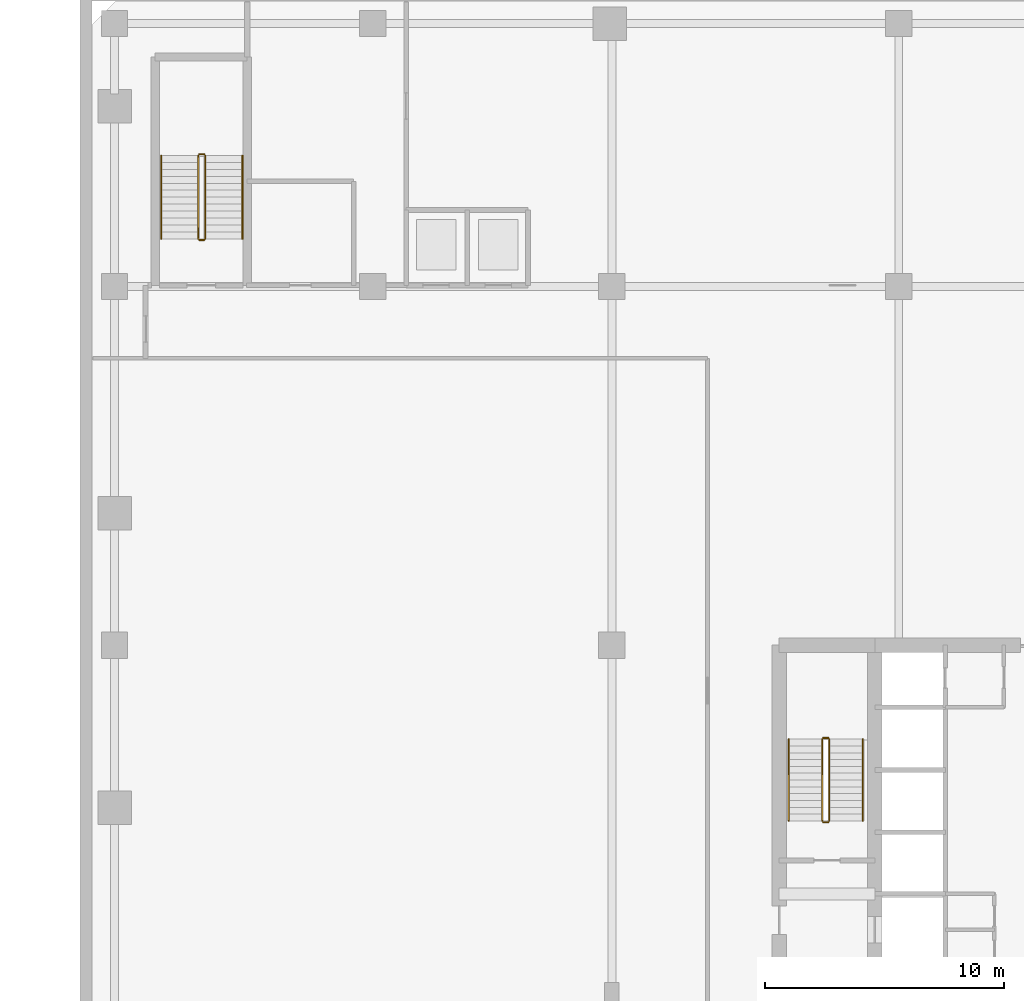
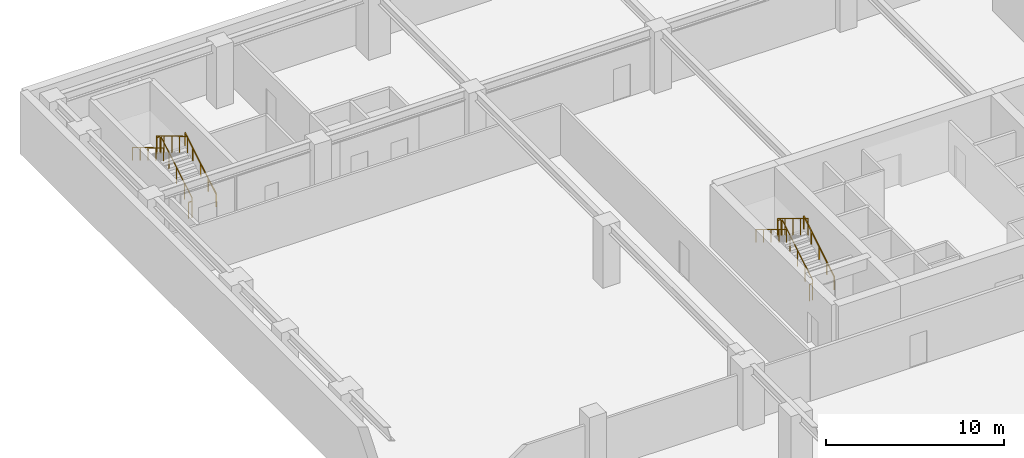
# One storey, part 8 of 11: 12 railings.
"""IFC4 building model written with IfcOpenShell, lengths in metres."""

from ifc_helpers import new_model, si_unit, direction, frame, origin, origin_2d, place, context, subcontext, project, spatial, rectangle, extrude, material, type_object, element, save


model = new_model("IFC4")

# Units and contexts
model_context = context("Model", 3, precision=1e-05, world=origin(), true_north=direction((0.0, 1.0)))
body_context = subcontext(model_context, "Body", "Model", "MODEL_VIEW")
ifc_project = project(units=[si_unit("LENGTHUNIT", "METRE"), si_unit("AREAUNIT", "SQUARE_METRE"), si_unit("VOLUMEUNIT", "CUBIC_METRE"), si_unit("PLANEANGLEUNIT", "RADIAN"), si_unit("MASSUNIT", "GRAM", prefix="KILO")], contexts=[model_context])

# Site, building, storey
site_placement = place(None, origin())
site = spatial("IfcSite", under=ifc_project, at=site_placement, CompositionType="ELEMENT")
building_placement = place(site_placement, origin())
building = spatial("IfcBuilding", under=site, at=building_placement, Name="Sarneth Arch Tower", CompositionType="ELEMENT")
storey_placement = place(building_placement, frame((0.0, 0.0, -4.5)))
storey = spatial("IfcBuildingStorey", under=building, at=storey_placement, Name="B01", CompositionType="ELEMENT", Elevation=-4.5)

# Railings
ifc_material_1 = material(Name="Brushed Stainless Steel 304 tubular handrail", Category="steel")
railing_type_1 = type_object("IfcRailingType", Name="RAIL-HANDRAIL-900", PredefinedType="HANDRAIL", material=ifc_material_1)
railing_1_placement = place(storey_placement, frame((40.5, 41.449951171875, 0.173095703125)))
element("IfcRailing", 1, at=railing_1_placement, inside=storey, type_object=railing_type_1, Name="B01 ST-1 stair handrail 1", PredefinedType="HANDRAIL", context=body_context, shape_type="SweptSolid", body=[
    extrude(rectangle(XDim=0.048095703125, YDim=0.048095703125, at=origin_2d()), frame((0.0, 0.0, 0.8759765625), z_axis=(0.0, 0.854745945586, 0.519046595696), x_axis=(-1.0, 0.0, 0.0)), (0.0, 0.0, 1.0), 4.00146484375),
    extrude(rectangle(XDim=0.0419921875, YDim=0.0419921875, at=origin_2d()), origin(), (0.0, 0.0, 1.0), 0.851806640625),
    extrude(rectangle(XDim=0.0419921875, YDim=0.0419921875, at=origin_2d()), frame((0.0, 0.85498046875, 0.519287109375)), (0.0, 0.0, 1.0), 0.851806640625),
    extrude(rectangle(XDim=0.0419921875, YDim=0.0419921875, at=origin_2d()), frame((0.0, 1.7099609375, 1.03857421875)), (0.0, 0.0, 1.0), 0.851806640625),
    extrude(rectangle(XDim=0.0419921875, YDim=0.0419921875, at=origin_2d()), frame((0.0, 2.565185546875, 1.5576171875)), (0.0, 0.0, 1.0), 0.851806640625),
    extrude(rectangle(XDim=0.0419921875, YDim=0.0419921875, at=origin_2d()), frame((0.0, 3.420166015625, 2.076904296875)), (0.0, 0.0, 1.0), 0.851806640625),
])
railing_2_placement = place(storey_placement, frame((37.39990234375, 44.8701171875, 2.423095703125)))
element("IfcRailing", 2, at=railing_2_placement, inside=storey, type_object=railing_type_1, Name="B01 ST-1 stair handrail 2", PredefinedType="HANDRAIL", context=body_context, shape_type="SweptSolid", body=[
    extrude(rectangle(XDim=0.048095703125, YDim=0.048095703125, at=origin_2d()), frame((0.0, 0.0, 0.8759765625), z_axis=(0.0, -0.854745945586, 0.519046595696), x_axis=(1.0, 0.0, 0.0)), (0.0, 0.0, 1.0), 4.00146484375),
    extrude(rectangle(XDim=0.0419921875, YDim=0.0419921875, at=origin_2d()), origin(), (0.0, 0.0, 1.0), 0.851806640625),
    extrude(rectangle(XDim=0.0419921875, YDim=0.0419921875, at=origin_2d()), frame((0.0, -0.85498046875, 0.519287109375)), (0.0, 0.0, 1.0), 0.851806640625),
    extrude(rectangle(XDim=0.0419921875, YDim=0.0419921875, at=origin_2d()), frame((0.0, -1.7099609375, 1.03857421875)), (0.0, 0.0, 1.0), 0.851806640625),
    extrude(rectangle(XDim=0.0419921875, YDim=0.0419921875, at=origin_2d()), frame((0.0, -2.565185546875, 1.5576171875)), (0.0, 0.0, 1.0), 0.851806640625),
    extrude(rectangle(XDim=0.0419921875, YDim=0.0419921875, at=origin_2d()), frame((0.0, -3.420166015625, 2.076904296875)), (0.0, 0.0, 1.0), 0.851806640625),
])
railing_3_placement = place(storey_placement, frame((14.550048828125, 65.800048828125, 0.173095703125)))
element("IfcRailing", 3, at=railing_3_placement, inside=storey, type_object=railing_type_1, Name="B01 ST-P1 stair handrail 1", PredefinedType="HANDRAIL", context=body_context, shape_type="SweptSolid", body=[
    extrude(rectangle(XDim=0.048095703125, YDim=0.048095703125, at=origin_2d()), frame((0.0, 0.0, 0.8759765625), z_axis=(0.0, 0.858697190188, 0.512483302717), x_axis=(-1.0, 0.0, 0.0)), (0.0, 0.0, 1.0), 4.052734375),
    extrude(rectangle(XDim=0.0419921875, YDim=0.0419921875, at=origin_2d()), origin(), (0.0, 0.0, 1.0), 0.851806640625),
    extrude(rectangle(XDim=0.0419921875, YDim=0.0419921875, at=origin_2d()), frame((0.0, 0.8701171875, 0.519287109375)), (0.0, 0.0, 1.0), 0.851806640625),
    extrude(rectangle(XDim=0.0419921875, YDim=0.0419921875, at=origin_2d()), frame((0.0, 1.739990234375, 1.03857421875)), (0.0, 0.0, 1.0), 0.851806640625),
    extrude(rectangle(XDim=0.0419921875, YDim=0.0419921875, at=origin_2d()), frame((0.0, 2.60986328125, 1.5576171875)), (0.0, 0.0, 1.0), 0.851806640625),
    extrude(rectangle(XDim=0.0419921875, YDim=0.0419921875, at=origin_2d()), frame((0.0, 3.47998046875, 2.076904296875)), (0.0, 0.0, 1.0), 0.851806640625),
])
railing_4_placement = place(storey_placement, frame((11.14990234375, 69.280029296875, 2.423095703125)))
element("IfcRailing", 4, at=railing_4_placement, inside=storey, type_object=railing_type_1, Name="B01 ST-P1 stair handrail 2", PredefinedType="HANDRAIL", context=body_context, shape_type="SweptSolid", body=[
    extrude(rectangle(XDim=0.048095703125, YDim=0.048095703125, at=origin_2d()), frame((0.0, 0.0, 0.8759765625), z_axis=(0.0, -0.858697190188, 0.512483302717), x_axis=(1.0, 0.0, 0.0)), (0.0, 0.0, 1.0), 4.052734375),
    extrude(rectangle(XDim=0.0419921875, YDim=0.0419921875, at=origin_2d()), origin(), (0.0, 0.0, 1.0), 0.851806640625),
    extrude(rectangle(XDim=0.0419921875, YDim=0.0419921875, at=origin_2d()), frame((0.0, -0.8701171875, 0.519287109375)), (0.0, 0.0, 1.0), 0.851806640625),
    extrude(rectangle(XDim=0.0419921875, YDim=0.0419921875, at=origin_2d()), frame((0.0, -1.739990234375, 1.03857421875)), (0.0, 0.0, 1.0), 0.851806640625),
    extrude(rectangle(XDim=0.0419921875, YDim=0.0419921875, at=origin_2d()), frame((0.0, -2.60986328125, 1.5576171875)), (0.0, 0.0, 1.0), 0.851806640625),
    extrude(rectangle(XDim=0.0419921875, YDim=0.0419921875, at=origin_2d()), frame((0.0, -3.47998046875, 2.076904296875)), (0.0, 0.0, 1.0), 0.851806640625),
])
ifc_material_2 = material(Name="Painted Steel S275 stair well guard", Category="steel")
railing_type_2 = type_object("IfcRailingType", Name="RAIL-STAIR-GUARD", PredefinedType="GUARDRAIL", material=ifc_material_2)
railing_5_placement = place(storey_placement, frame((39.10009765625, 41.449951171875, 0.173095703125)))
element("IfcRailing", 5, at=railing_5_placement, inside=storey, type_object=railing_type_2, Name="B01 ST-1 stair guard 1", PredefinedType="GUARDRAIL", context=body_context, shape_type="SweptSolid", body=[
    extrude(rectangle(XDim=0.048095703125, YDim=0.048095703125, at=origin_2d()), frame((0.0, 0.0, 1.1259765625), z_axis=(0.0, 0.854745945586, 0.519046595696), x_axis=(-1.0, 0.0, 0.0)), (0.0, 0.0, 1.0), 4.00146484375),
    extrude(rectangle(XDim=0.0419921875, YDim=0.0419921875, at=origin_2d()), origin(), (0.0, 0.0, 1.0), 1.101806640625),
    extrude(rectangle(XDim=0.0419921875, YDim=0.0419921875, at=origin_2d()), frame((0.0, 0.85498046875, 0.519287109375)), (0.0, 0.0, 1.0), 1.101806640625),
    extrude(rectangle(XDim=0.0419921875, YDim=0.0419921875, at=origin_2d()), frame((0.0, 1.7099609375, 1.03857421875)), (0.0, 0.0, 1.0), 1.101806640625),
    extrude(rectangle(XDim=0.0419921875, YDim=0.0419921875, at=origin_2d()), frame((0.0, 2.565185546875, 1.5576171875)), (0.0, 0.0, 1.0), 1.101806640625),
    extrude(rectangle(XDim=0.0419921875, YDim=0.0419921875, at=origin_2d()), frame((0.0, 3.420166015625, 2.076904296875)), (0.0, 0.0, 1.0), 1.101806640625),
])
railing_6_placement = place(storey_placement, frame((39.050048828125, 44.919921875, 2.25)))
element("IfcRailing", 6, at=railing_6_placement, inside=storey, type_object=railing_type_2, Name="B01 ST-1 stair guard 2", PredefinedType="GUARDRAIL", context=body_context, shape_type="SweptSolid", body=[
    extrude(rectangle(XDim=0.048095703125, YDim=0.048095703125, at=origin_2d()), frame((0.0, 0.0, 1.1259765625), z_axis=(-1.0, 0.0, 0.0), x_axis=(0.0, -1.0, 0.0)), (0.0, 0.0, 1.0), 0.199951171875),
    extrude(rectangle(XDim=0.0419921875, YDim=0.0419921875, at=origin_2d()), origin(), (0.0, 0.0, 1.0), 1.101806640625),
    extrude(rectangle(XDim=0.0419921875, YDim=0.0419921875, at=origin_2d()), frame((-0.199951171875, 0.0, 0.0)), (0.0, 0.0, 1.0), 1.101806640625),
])
railing_7_placement = place(storey_placement, frame((38.800048828125, 44.8701171875, 2.423095703125)))
element("IfcRailing", 7, at=railing_7_placement, inside=storey, type_object=railing_type_2, Name="B01 ST-1 stair guard 3", PredefinedType="GUARDRAIL", context=body_context, shape_type="SweptSolid", body=[
    extrude(rectangle(XDim=0.048095703125, YDim=0.048095703125, at=origin_2d()), frame((0.0, 0.0, 1.1259765625), z_axis=(0.0, -0.854745945586, 0.519046595696), x_axis=(1.0, 0.0, 0.0)), (0.0, 0.0, 1.0), 4.00146484375),
    extrude(rectangle(XDim=0.0419921875, YDim=0.0419921875, at=origin_2d()), origin(), (0.0, 0.0, 1.0), 1.101806640625),
    extrude(rectangle(XDim=0.0419921875, YDim=0.0419921875, at=origin_2d()), frame((0.0, -0.85498046875, 0.519287109375)), (0.0, 0.0, 1.0), 1.101806640625),
    extrude(rectangle(XDim=0.0419921875, YDim=0.0419921875, at=origin_2d()), frame((0.0, -1.7099609375, 1.03857421875)), (0.0, 0.0, 1.0), 1.101806640625),
    extrude(rectangle(XDim=0.0419921875, YDim=0.0419921875, at=origin_2d()), frame((0.0, -2.565185546875, 1.5576171875)), (0.0, 0.0, 1.0), 1.101806640625),
    extrude(rectangle(XDim=0.0419921875, YDim=0.0419921875, at=origin_2d()), frame((0.0, -3.420166015625, 2.076904296875)), (0.0, 0.0, 1.0), 1.101806640625),
])
railing_8_placement = place(storey_placement, frame((39.050048828125, 41.39990234375, 0.0)))
element("IfcRailing", 8, at=railing_8_placement, inside=storey, type_object=railing_type_2, Name="B01 ST-1 stair guard 4", PredefinedType="GUARDRAIL", context=body_context, shape_type="SweptSolid", body=[
    extrude(rectangle(XDim=0.048095703125, YDim=0.048095703125, at=origin_2d()), frame((0.0, 0.0, 1.1259765625), z_axis=(-1.0, 0.0, 0.0), x_axis=(0.0, -1.0, 0.0)), (0.0, 0.0, 1.0), 0.199951171875),
    extrude(rectangle(XDim=0.0419921875, YDim=0.0419921875, at=origin_2d()), origin(), (0.0, 0.0, 1.0), 1.101806640625),
    extrude(rectangle(XDim=0.0419921875, YDim=0.0419921875, at=origin_2d()), frame((-0.199951171875, 0.0, 0.0)), (0.0, 0.0, 1.0), 1.101806640625),
])
railing_9_placement = place(storey_placement, frame((13.0, 65.800048828125, 0.173095703125)))
element("IfcRailing", 9, at=railing_9_placement, inside=storey, type_object=railing_type_2, Name="B01 ST-P1 stair guard 1", PredefinedType="GUARDRAIL", context=body_context, shape_type="SweptSolid", body=[
    extrude(rectangle(XDim=0.048095703125, YDim=0.048095703125, at=origin_2d()), frame((0.0, 0.0, 1.1259765625), z_axis=(0.0, 0.858697190188, 0.512483302717), x_axis=(-1.0, 0.0, 0.0)), (0.0, 0.0, 1.0), 4.052734375),
    extrude(rectangle(XDim=0.0419921875, YDim=0.0419921875, at=origin_2d()), origin(), (0.0, 0.0, 1.0), 1.101806640625),
    extrude(rectangle(XDim=0.0419921875, YDim=0.0419921875, at=origin_2d()), frame((0.0, 0.8701171875, 0.519287109375)), (0.0, 0.0, 1.0), 1.101806640625),
    extrude(rectangle(XDim=0.0419921875, YDim=0.0419921875, at=origin_2d()), frame((0.0, 1.739990234375, 1.03857421875)), (0.0, 0.0, 1.0), 1.101806640625),
    extrude(rectangle(XDim=0.0419921875, YDim=0.0419921875, at=origin_2d()), frame((0.0, 2.60986328125, 1.5576171875)), (0.0, 0.0, 1.0), 1.101806640625),
    extrude(rectangle(XDim=0.0419921875, YDim=0.0419921875, at=origin_2d()), frame((0.0, 3.47998046875, 2.076904296875)), (0.0, 0.0, 1.0), 1.101806640625),
])
railing_10_placement = place(storey_placement, frame((12.949951171875, 69.330078125, 2.25)))
element("IfcRailing", 10, at=railing_10_placement, inside=storey, type_object=railing_type_2, Name="B01 ST-P1 stair guard 2", PredefinedType="GUARDRAIL", context=body_context, shape_type="SweptSolid", body=[
    extrude(rectangle(XDim=0.048095703125, YDim=0.048095703125, at=origin_2d()), frame((0.0, 0.0, 1.1259765625), z_axis=(-1.0, 0.0, 0.0), x_axis=(0.0, -1.0, 0.0)), (0.0, 0.0, 1.0), 0.199951171875),
    extrude(rectangle(XDim=0.0419921875, YDim=0.0419921875, at=origin_2d()), origin(), (0.0, 0.0, 1.0), 1.101806640625),
    extrude(rectangle(XDim=0.0419921875, YDim=0.0419921875, at=origin_2d()), frame((-0.199951171875, 0.0, 0.0)), (0.0, 0.0, 1.0), 1.101806640625),
])
railing_11_placement = place(storey_placement, frame((12.699951171875, 69.280029296875, 2.423095703125)))
element("IfcRailing", 11, at=railing_11_placement, inside=storey, type_object=railing_type_2, Name="B01 ST-P1 stair guard 3", PredefinedType="GUARDRAIL", context=body_context, shape_type="SweptSolid", body=[
    extrude(rectangle(XDim=0.048095703125, YDim=0.048095703125, at=origin_2d()), frame((0.0, 0.0, 1.1259765625), z_axis=(0.0, -0.858697190188, 0.512483302717), x_axis=(1.0, 0.0, 0.0)), (0.0, 0.0, 1.0), 4.052734375),
    extrude(rectangle(XDim=0.0419921875, YDim=0.0419921875, at=origin_2d()), origin(), (0.0, 0.0, 1.0), 1.101806640625),
    extrude(rectangle(XDim=0.0419921875, YDim=0.0419921875, at=origin_2d()), frame((0.0, -0.8701171875, 0.519287109375)), (0.0, 0.0, 1.0), 1.101806640625),
    extrude(rectangle(XDim=0.0419921875, YDim=0.0419921875, at=origin_2d()), frame((0.0, -1.739990234375, 1.03857421875)), (0.0, 0.0, 1.0), 1.101806640625),
    extrude(rectangle(XDim=0.0419921875, YDim=0.0419921875, at=origin_2d()), frame((0.0, -2.60986328125, 1.5576171875)), (0.0, 0.0, 1.0), 1.101806640625),
    extrude(rectangle(XDim=0.0419921875, YDim=0.0419921875, at=origin_2d()), frame((0.0, -3.47998046875, 2.076904296875)), (0.0, 0.0, 1.0), 1.101806640625),
])
railing_12_placement = place(storey_placement, frame((12.949951171875, 65.75, 0.0)))
element("IfcRailing", 12, at=railing_12_placement, inside=storey, type_object=railing_type_2, Name="B01 ST-P1 stair guard 4", PredefinedType="GUARDRAIL", context=body_context, shape_type="SweptSolid", body=[
    extrude(rectangle(XDim=0.048095703125, YDim=0.048095703125, at=origin_2d()), frame((0.0, 0.0, 1.1259765625), z_axis=(-1.0, 0.0, 0.0), x_axis=(0.0, -1.0, 0.0)), (0.0, 0.0, 1.0), 0.199951171875),
    extrude(rectangle(XDim=0.0419921875, YDim=0.0419921875, at=origin_2d()), origin(), (0.0, 0.0, 1.0), 1.101806640625),
    extrude(rectangle(XDim=0.0419921875, YDim=0.0419921875, at=origin_2d()), frame((-0.199951171875, 0.0, 0.0)), (0.0, 0.0, 1.0), 1.101806640625),
])

save(model, "model.ifc")
